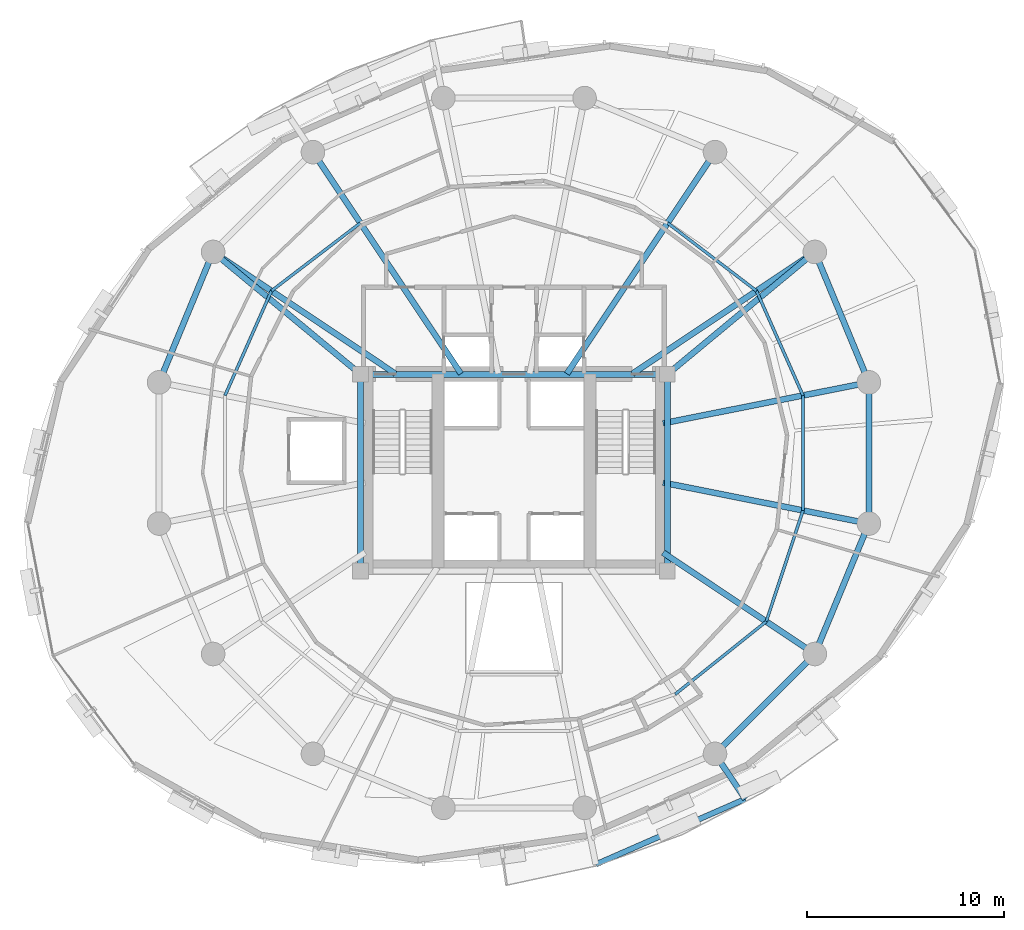
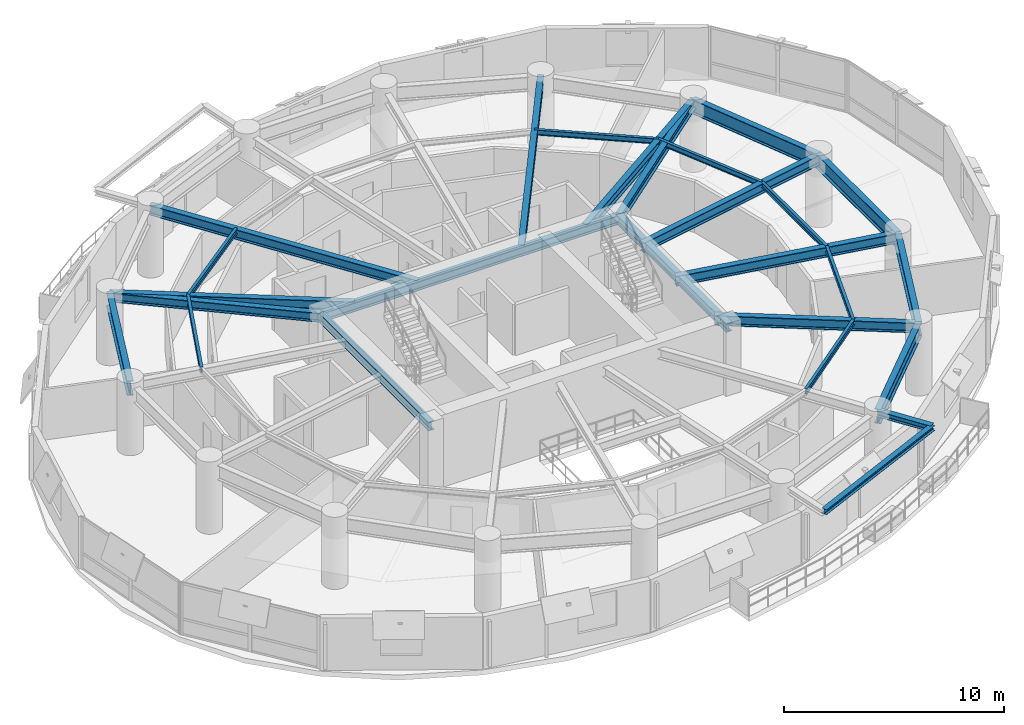
# One storey, part 5 of 14: 26 beams.
"""IFC4 building model written with IfcOpenShell, lengths in metres."""

from ifc_helpers import new_model, si_unit, direction, frame, origin, origin_2d, place, context, subcontext, project, spatial, i_section, extrude, material, material_profile, profile_set, type_object, element, save


model = new_model("IFC4")

# Units and contexts
model_context = context("Model", 3, precision=1e-05, world=origin(), true_north=direction((0.0, 1.0)))
body_context = subcontext(model_context, "Body", "Model", "MODEL_VIEW")
ifc_project = project(units=[si_unit("LENGTHUNIT", "METRE"), si_unit("AREAUNIT", "SQUARE_METRE"), si_unit("VOLUMEUNIT", "CUBIC_METRE"), si_unit("PLANEANGLEUNIT", "RADIAN"), si_unit("MASSUNIT", "GRAM", prefix="KILO"), si_unit("THERMODYNAMICTEMPERATUREUNIT", "KELVIN"), si_unit("POWERUNIT", "WATT")], contexts=[model_context])

# Site, building, storey
site_placement = place(None, origin())
site = spatial("IfcSite", under=ifc_project, at=site_placement, CompositionType="ELEMENT")
building_placement = place(site_placement, origin())
building = spatial("IfcBuilding", under=site, at=building_placement, Name="Ocrelia Relay Tower", CompositionType="ELEMENT")
storey_placement = place(building_placement, frame((0.0, 0.0, 133.800048828125)))
storey = spatial("IfcBuildingStorey", under=building, at=storey_placement, Name="L31", CompositionType="ELEMENT", Elevation=133.800048828125)

# Beams
ifc_material = material(Name="Steel S355", Category="steel")
ifc_material_profile_1 = material_profile(ifc_material, i_section(OverallWidth=0.280029296875, OverallDepth=0.27001953125, WebThickness=0.008056640625, FlangeThickness=0.012939453125, FilletRadius=0.02392578125, at=origin_2d()), Name="HEA 280")
ifc_profile_set_1 = profile_set([ifc_material_profile_1], Name="Steel S355")
beam_type_1 = type_object("IfcBeamType", Name="BM-HEA280", PredefinedType="BEAM", material=ifc_profile_set_1)
beam_1_placement = place(storey_placement, frame((38.161865234375, 5.076904296875, 3.5849609375), z_axis=(0.916016054954, 0.401141604755, 0.0), x_axis=(-0.401141604755, 0.916016054954, 0.0)))
element("IfcBeam", 1, at=beam_1_placement, inside=storey, type_object=beam_type_1, Name="L32 Balcony Edge Trimmer Beam B2", PredefinedType="BEAM", context=body_context, shape_type="SweptSolid", body=[
    extrude(i_section(OverallWidth=0.280029296875, OverallDepth=0.27001953125, WebThickness=0.008056640625, FlangeThickness=0.012939453125, FilletRadius=0.02392578125, at=origin_2d()), origin(), (0.0, 0.0, 1.0), 8.29248046875),
])
ifc_material_profile_2 = material_profile(ifc_material, i_section(OverallWidth=0.300048828125, OverallDepth=0.330078125, WebThickness=0.009521484375, FlangeThickness=0.0166015625, FilletRadius=0.027099609375, at=origin_2d()), Name="HEA 340")
ifc_profile_set_2 = profile_set([ifc_material_profile_2], Name="Steel S355")
beam_type_2 = type_object("IfcBeamType", Name="BM-HEA340", PredefinedType="BEAM", material=ifc_profile_set_2)
beam_2_placement = place(storey_placement, frame((44.222412109375, 10.700927734375, 3.554931640625), z_axis=(0.555617313636, -0.831438152112, 0.0), x_axis=(0.831438152112, 0.555617313636, 0.0)))
element("IfcBeam", 2, at=beam_2_placement, inside=storey, type_object=beam_type_2, Name="L32 Balcony Cantilever Beam B2-2", PredefinedType="BEAM", context=body_context, shape_type="SweptSolid", body=[
    extrude(i_section(OverallWidth=0.300048828125, OverallDepth=0.330078125, WebThickness=0.009521484375, FlangeThickness=0.0166015625, FilletRadius=0.027099609375, at=origin_2d()), origin(), (0.0, 0.0, 1.0), 2.763427734375),
])
ifc_material_profile_3 = material_profile(ifc_material, i_section(OverallWidth=0.300048828125, OverallDepth=0.5, WebThickness=0.014404296875, FlangeThickness=0.028076171875, FilletRadius=0.027099609375, at=origin_2d()), Name="HEB 500")
ifc_profile_set_3 = profile_set([ifc_material_profile_3], Name="Steel S355")
beam_type_3 = type_object("IfcBeamType", Name="BM-HEB500", PredefinedType="BEAM", material=ifc_profile_set_3)
beam_3_placement = place(storey_placement, frame((26.199951171875, 30.0, 3.469970703125), z_axis=(1.0, 0.0, 0.0), x_axis=(0.0, 1.0, 0.0)))
element("IfcBeam", 3, at=beam_3_placement, inside=storey, type_object=beam_type_3, Name="L31 Core Pilaster Tie Beam N", PredefinedType="BEAM", context=body_context, shape_type="SweptSolid", body=[
    extrude(i_section(OverallWidth=0.300048828125, OverallDepth=0.5, WebThickness=0.014404296875, FlangeThickness=0.028076171875, FilletRadius=0.027099609375, at=origin_2d()), origin(), (0.0, 0.0, 1.0), 15.60009765625),
])
for number, where, z_axis, x_axis, name in (
    (4, (26.199951171875, 20.0, 3.469970703125), (0.0, 1.0, 0.0), (-1.0, 0.0, 0.0), "L31 Core Pilaster Tie Beam W"),
    (5, (41.800048828125, 20.0, 3.469970703125), (0.0, 1.0, 0.0), (-1.0, 0.0, 0.0), "L31 Core Pilaster Tie Beam E"),
):
    element("IfcBeam", number, at=place(storey_placement, frame(where, z_axis=z_axis, x_axis=x_axis)), inside=storey, type_object=beam_type_3, Name=name, PredefinedType="BEAM", context=body_context, shape_type="SweptSolid", body=[
        extrude(i_section(OverallWidth=0.300048828125, OverallDepth=0.5, WebThickness=0.014404296875, FlangeThickness=0.028076171875, FilletRadius=0.027099609375, at=origin_2d()), origin(), (0.0, 0.0, 1.0), 10.0),
    ])
for number, where, z_axis, x_axis, name in (
    (6, (49.299072265625, 36.222412109375, 3.469970703125), (-0.769570862751, -0.638561420072, 0.0), (0.638561420072, -0.769570862751, 0.0), "L31 Core Pilaster Frame Tie Beam PT02"),
    (7, (18.700927734375, 36.222412109375, 3.469970703125), (0.769570862751, -0.638561420072, 0.0), (0.638561420072, 0.769570862751, 0.0), "L31 Core Pilaster Frame Tie Beam PT07"),
):
    element("IfcBeam", number, at=place(storey_placement, frame(where, z_axis=z_axis, x_axis=x_axis)), inside=storey, type_object=beam_type_3, Name=name, PredefinedType="BEAM", context=body_context, shape_type="SweptSolid", body=[
        extrude(i_section(OverallWidth=0.300048828125, OverallDepth=0.5, WebThickness=0.014404296875, FlangeThickness=0.028076171875, FilletRadius=0.027099609375, at=origin_2d()), origin(), (0.0, 0.0, 1.0), 9.744384765625),
    ])
ifc_material_profile_4 = material_profile(ifc_material, i_section(OverallWidth=0.300048828125, OverallDepth=0.550048828125, WebThickness=0.014892578125, FlangeThickness=0.029052734375, FilletRadius=0.027099609375, at=origin_2d()), Name="HEB 550")
ifc_profile_set_4 = profile_set([ifc_material_profile_4], Name="Steel S355")
beam_type_4 = type_object("IfcBeamType", Name="BM-HEB550", PredefinedType="BEAM", material=ifc_profile_set_4)
beam_4_placement = place(storey_placement, frame((52.04638671875, 29.589599609375, 3.445068359375), z_axis=(-0.980786914024, -0.195082109071, 0.0), x_axis=(0.195082109071, -0.980786914024, 0.0)))
element("IfcBeam", 8, at=beam_4_placement, inside=storey, type_object=beam_type_4, Name="L31 Radial Floor Girder R01", PredefinedType="BEAM", context=body_context, shape_type="SweptSolid", body=[
    extrude(i_section(OverallWidth=0.300048828125, OverallDepth=0.550048828125, WebThickness=0.014892578125, FlangeThickness=0.029052734375, FilletRadius=0.027099609375, at=origin_2d()), origin(), (0.0, 0.0, 1.0), 10.67138671875),
])
beam_5_placement = place(storey_placement, frame((49.299072265625, 36.222412109375, 3.445068359375), z_axis=(-0.83147699108, -0.555559189741, 0.0), x_axis=(0.555559189741, -0.83147699108, 0.0)))
element("IfcBeam", 9, at=beam_5_placement, inside=storey, type_object=beam_type_4, Name="L31 Radial Floor Girder R02", PredefinedType="BEAM", context=body_context, shape_type="SweptSolid", body=[
    extrude(i_section(OverallWidth=0.300048828125, OverallDepth=0.550048828125, WebThickness=0.014892578125, FlangeThickness=0.029052734375, FilletRadius=0.027099609375, at=origin_2d()), origin(), (0.0, 0.0, 1.0), 11.146240234375),
])
for number, where, z_axis, x_axis, name in (
    (10, (44.222412109375, 41.299072265625, 3.445068359375), (-0.555560399988, -0.83147618244, 0.0), (0.83147618244, -0.555560399988, 0.0), "L31 Radial Floor Girder R03"),
    (11, (23.777587890625, 41.299072265625, 3.445068359375), (0.555560399988, -0.83147618244, 0.0), (0.83147618244, 0.555560399988, 0.0), "L31 Radial Floor Girder R06"),
):
    element("IfcBeam", number, at=place(storey_placement, frame(where, z_axis=z_axis, x_axis=x_axis)), inside=storey, type_object=beam_type_4, Name=name, PredefinedType="BEAM", context=body_context, shape_type="SweptSolid", body=[
        extrude(i_section(OverallWidth=0.300048828125, OverallDepth=0.550048828125, WebThickness=0.014892578125, FlangeThickness=0.029052734375, FilletRadius=0.027099609375, at=origin_2d()), origin(), (0.0, 0.0, 1.0), 13.552978515625),
    ])
beam_6_placement = place(storey_placement, frame((18.700927734375, 36.222412109375, 3.445068359375), z_axis=(0.83147699108, -0.555559189741, 0.0), x_axis=(0.555559189741, 0.83147699108, 0.0)))
element("IfcBeam", 12, at=beam_6_placement, inside=storey, type_object=beam_type_4, Name="L31 Radial Floor Girder R07", PredefinedType="BEAM", context=body_context, shape_type="SweptSolid", body=[
    extrude(i_section(OverallWidth=0.300048828125, OverallDepth=0.550048828125, WebThickness=0.014892578125, FlangeThickness=0.029052734375, FilletRadius=0.027099609375, at=origin_2d()), origin(), (0.0, 0.0, 1.0), 11.146240234375),
])
beam_7_placement = place(storey_placement, frame((49.299072265625, 15.777587890625, 3.445068359375), z_axis=(-0.8314672312, 0.555573796575, 0.0), x_axis=(-0.555573796575, -0.8314672312, 0.0)))
element("IfcBeam", 13, at=beam_7_placement, inside=storey, type_object=beam_type_4, Name="L31 Radial Floor Girder R15", PredefinedType="BEAM", context=body_context, shape_type="SweptSolid", body=[
    extrude(i_section(OverallWidth=0.300048828125, OverallDepth=0.550048828125, WebThickness=0.014892578125, FlangeThickness=0.029052734375, FilletRadius=0.027099609375, at=origin_2d()), origin(), (0.0, 0.0, 1.0), 9.28369140625),
])
beam_8_placement = place(storey_placement, frame((52.04638671875, 22.410400390625, 3.445068359375), z_axis=(-0.980786914024, 0.195082109071, 0.0), x_axis=(-0.195082109071, -0.980786914024, 0.0)))
element("IfcBeam", 14, at=beam_8_placement, inside=storey, type_object=beam_type_4, Name="L31 Radial Floor Girder R16", PredefinedType="BEAM", context=body_context, shape_type="SweptSolid", body=[
    extrude(i_section(OverallWidth=0.300048828125, OverallDepth=0.550048828125, WebThickness=0.014892578125, FlangeThickness=0.029052734375, FilletRadius=0.027099609375, at=origin_2d()), origin(), (0.0, 0.0, 1.0), 10.67138671875),
])
ifc_material_profile_5 = material_profile(ifc_material, i_section(OverallWidth=0.300048828125, OverallDepth=0.800048828125, WebThickness=0.017578125, FlangeThickness=0.032958984375, FilletRadius=0.030029296875, at=origin_2d()), Name="HEB 800")
ifc_profile_set_5 = profile_set([ifc_material_profile_5], Name="Steel S355")
beam_type_5 = type_object("IfcBeamType", Name="BM-HEB800", PredefinedType="BEAM", material=ifc_profile_set_5)
for number, where, z_axis, x_axis, name in (
    (15, (52.04638671875, 29.589599609375, 3.320068359375), (-0.382673155247, 0.923883789366, 0.0), (-0.923883789366, -0.382673155247, 0.0), "L31 Perimeter Spandrel Beam S01"),
    (16, (18.700927734375, 36.222412109375, 3.320068359375), (-0.382673155247, -0.923883789366, 0.0), (0.923883789366, -0.382673155247, 0.0), "L31 Perimeter Spandrel Beam S07"),
):
    element("IfcBeam", number, at=place(storey_placement, frame(where, z_axis=z_axis, x_axis=x_axis)), inside=storey, type_object=beam_type_5, Name=name, PredefinedType="BEAM", context=body_context, shape_type="SweptSolid", body=[
        extrude(i_section(OverallWidth=0.300048828125, OverallDepth=0.800048828125, WebThickness=0.017578125, FlangeThickness=0.032958984375, FilletRadius=0.030029296875, at=origin_2d()), origin(), (0.0, 0.0, 1.0), 7.17919921875),
    ])
beam_9_placement = place(storey_placement, frame((44.222412109375, 10.700927734375, 3.320068359375), z_axis=(0.707106781187, 0.707106781187, 0.0), x_axis=(-0.707106781187, 0.707106781187, 0.0)))
element("IfcBeam", 17, at=beam_9_placement, inside=storey, type_object=beam_type_5, Name="L31 Perimeter Spandrel Beam S14", PredefinedType="BEAM", context=body_context, shape_type="SweptSolid", body=[
    extrude(i_section(OverallWidth=0.300048828125, OverallDepth=0.800048828125, WebThickness=0.017578125, FlangeThickness=0.032958984375, FilletRadius=0.030029296875, at=origin_2d()), origin(), (0.0, 0.0, 1.0), 7.179443359375),
])
for number, where, z_axis, x_axis, name in (
    (18, (49.299072265625, 15.777587890625, 3.320068359375), (0.382673155247, 0.923883789366, 0.0), (-0.923883789366, 0.382673155247, 0.0), "L31 Perimeter Spandrel Beam S15"),
    (19, (52.04638671875, 22.410400390625, 3.320068359375), (0.0, 1.0, 0.0), (-1.0, 0.0, 0.0), "L31 Perimeter Spandrel Beam S16"),
):
    element("IfcBeam", number, at=place(storey_placement, frame(where, z_axis=z_axis, x_axis=x_axis)), inside=storey, type_object=beam_type_5, Name=name, PredefinedType="BEAM", context=body_context, shape_type="SweptSolid", body=[
        extrude(i_section(OverallWidth=0.300048828125, OverallDepth=0.800048828125, WebThickness=0.017578125, FlangeThickness=0.032958984375, FilletRadius=0.030029296875, at=origin_2d()), origin(), (0.0, 0.0, 1.0), 7.17919921875),
    ])
ifc_material_profile_6 = material_profile(ifc_material, i_section(OverallWidth=0.14990234375, OverallDepth=0.300048828125, WebThickness=0.007080078125, FlangeThickness=0.0107421875, FilletRadius=0.014892578125, at=origin_2d()), Name="IPE 300")
ifc_profile_set_6 = profile_set([ifc_material_profile_6], Name="Steel S355")
beam_type_6 = type_object("IfcBeamType", Name="BM-IPE300", PredefinedType="JOIST", material=ifc_profile_set_6)
beam_10_placement = place(storey_placement, frame((48.697265625, 28.923583984375, 3.570068359375), z_axis=(-0.406243565397, 0.913764830563, 0.0), x_axis=(-0.913764830563, -0.406243565397, 0.0)))
element("IfcBeam", 20, at=beam_10_placement, inside=storey, type_object=beam_type_6, Name="L31 Secondary Floor Joist J01", PredefinedType="JOIST", context=body_context, shape_type="SweptSolid", body=[
    extrude(i_section(OverallWidth=0.14990234375, OverallDepth=0.300048828125, WebThickness=0.007080078125, FlangeThickness=0.0107421875, FilletRadius=0.014892578125, at=origin_2d()), origin(), (0.0, 0.0, 1.0), 5.819091796875),
])
for number, where, z_axis, x_axis, name in (
    (21, (46.333251953125, 34.240966796875, 3.570068359375), (-0.794762167004, 0.60692099807, 0.0), (-0.60692099807, -0.794762167004, 0.0), "L31 Secondary Floor Joist J02"),
    (22, (26.18701171875, 37.69287109375, 3.570068359375), (-0.794762167004, -0.60692099807, 0.0), (0.60692099807, -0.794762167004, 0.0), "L31 Secondary Floor Joist J06"),
):
    element("IfcBeam", number, at=place(storey_placement, frame(where, z_axis=z_axis, x_axis=x_axis)), inside=storey, type_object=beam_type_6, Name=name, PredefinedType="JOIST", context=body_context, shape_type="SweptSolid", body=[
        extrude(i_section(OverallWidth=0.14990234375, OverallDepth=0.300048828125, WebThickness=0.007080078125, FlangeThickness=0.0107421875, FilletRadius=0.014892578125, at=origin_2d()), origin(), (0.0, 0.0, 1.0), 5.6875),
    ])
beam_11_placement = place(storey_placement, frame((21.666748046875, 34.240966796875, 3.570068359375), z_axis=(-0.405741333342, -0.913987948727, 0.0), x_axis=(0.913987948727, -0.405741333342, 0.0)))
element("IfcBeam", 23, at=beam_11_placement, inside=storey, type_object=beam_type_6, Name="L31 Secondary Floor Joist J07", PredefinedType="JOIST", context=body_context, shape_type="SweptSolid", body=[
    extrude(i_section(OverallWidth=0.14990234375, OverallDepth=0.300048828125, WebThickness=0.007080078125, FlangeThickness=0.0107421875, FilletRadius=0.014892578125, at=origin_2d()), origin(), (0.0, 0.0, 1.0), 5.818603515625),
])
beam_12_placement = place(storey_placement, frame((42.197998046875, 13.731201171875, 3.570068359375), z_axis=(0.781519577804, 0.623880717372, 0.0), x_axis=(-0.623880717372, 0.781519577804, 0.0)))
element("IfcBeam", 24, at=beam_12_placement, inside=storey, type_object=beam_type_6, Name="L31 Secondary Floor Joist J14", PredefinedType="JOIST", context=body_context, shape_type="SweptSolid", body=[
    extrude(i_section(OverallWidth=0.14990234375, OverallDepth=0.300048828125, WebThickness=0.007080078125, FlangeThickness=0.0107421875, FilletRadius=0.014892578125, at=origin_2d()), origin(), (0.0, 0.0, 1.0), 5.925537109375),
])
beam_13_placement = place(storey_placement, frame((46.828857421875, 17.427978515625, 3.570068359375), z_axis=(0.314047924314, 0.949407131443, 0.0), x_axis=(-0.949407131443, 0.314047924314, 0.0)))
element("IfcBeam", 25, at=beam_13_placement, inside=storey, type_object=beam_type_6, Name="L31 Secondary Floor Joist J15", PredefinedType="JOIST", context=body_context, shape_type="SweptSolid", body=[
    extrude(i_section(OverallWidth=0.14990234375, OverallDepth=0.300048828125, WebThickness=0.007080078125, FlangeThickness=0.0107421875, FilletRadius=0.014892578125, at=origin_2d()), origin(), (0.0, 0.0, 1.0), 5.949462890625),
])
beam_14_placement = place(storey_placement, frame((48.697265625, 23.076416015625, 3.570068359375), z_axis=(0.0, 1.0, 0.0), x_axis=(-1.0, 0.0, 0.0)))
element("IfcBeam", 26, at=beam_14_placement, inside=storey, type_object=beam_type_6, Name="L31 Secondary Floor Joist J16", PredefinedType="JOIST", context=body_context, shape_type="SweptSolid", body=[
    extrude(i_section(OverallWidth=0.14990234375, OverallDepth=0.300048828125, WebThickness=0.007080078125, FlangeThickness=0.0107421875, FilletRadius=0.014892578125, at=origin_2d()), origin(), (0.0, 0.0, 1.0), 5.84716796875),
])

save(model, "model.ifc")
